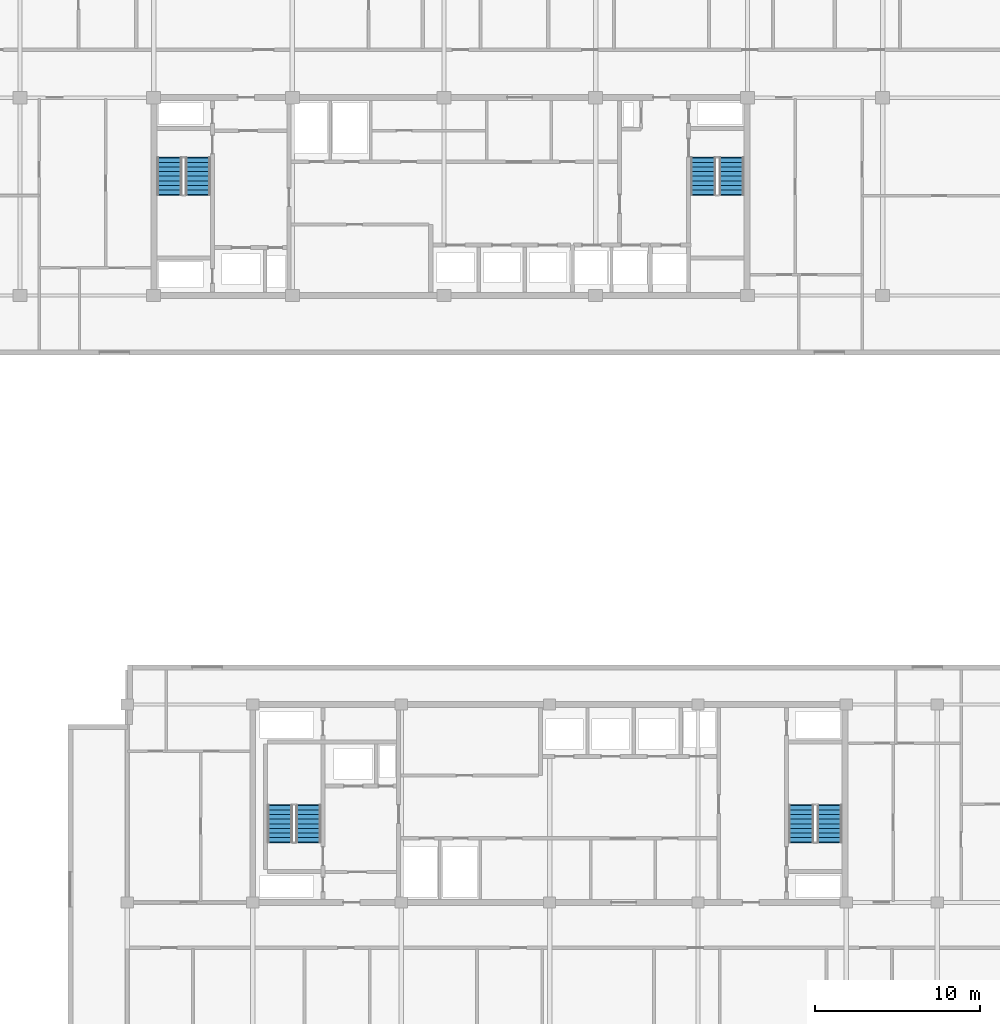
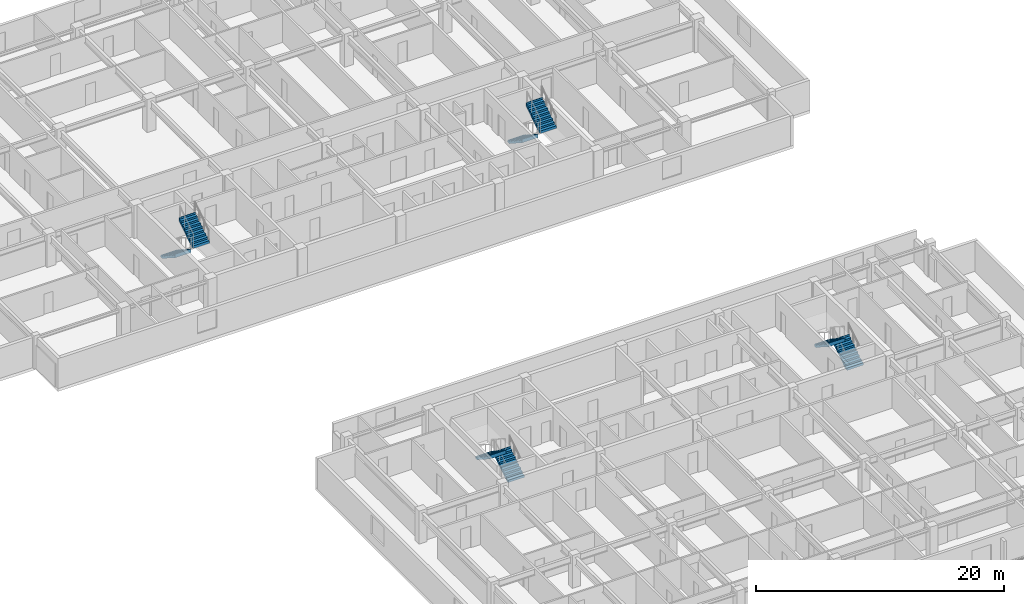
# One storey, part 16 of 21: 8 stair flights, 4 elements without a shape of their own.
"""IFC4 building model written with IfcOpenShell, lengths in metres."""

from ifc_helpers import new_model, si_unit, direction, frame, origin, place, context, subcontext, project, spatial, polyline, outline, extrude, material, type_object, element, aggregate, save


model = new_model("IFC4")

# Units and contexts
model_context = context("Model", 3, precision=1e-05, world=origin(), true_north=direction((0.0, 1.0)))
body_context = subcontext(model_context, "Body", "Model", "MODEL_VIEW")
ifc_project = project(units=[si_unit("LENGTHUNIT", "METRE"), si_unit("AREAUNIT", "SQUARE_METRE"), si_unit("VOLUMEUNIT", "CUBIC_METRE"), si_unit("PLANEANGLEUNIT", "RADIAN"), si_unit("MASSUNIT", "GRAM", prefix="KILO")], contexts=[model_context])

# Site, building, storey
site_placement = place(None, origin())
site = spatial("IfcSite", under=ifc_project, at=site_placement, CompositionType="ELEMENT")
building_placement = place(site_placement, origin())
building = spatial("IfcBuilding", under=site, at=building_placement, Name="Korimba Cascade Residences", CompositionType="ELEMENT")
storey_placement = place(building_placement, frame((0.0, 0.0, 175.10009765625)))
storey = spatial("IfcBuildingStorey", under=building, at=storey_placement, Name="L50", CompositionType="ELEMENT", Elevation=175.10009765625)

# Stair, stair flights
ifc_material = material(Name="Concrete C50/60", Category="concrete")
stair_type_1 = type_object("IfcStairType", Name="STR-W1-18R-1806", PredefinedType="HALF_TURN_STAIR", material=ifc_material)
stair_1_placement = place(storey_placement, origin())
stair_1 = element("IfcStair", 1, at=stair_1_placement, inside=storey, type_object=stair_type_1, Name="L50 Tower 1 West Fire Stair ST-W1", PredefinedType="HALF_TURN_STAIR")
stair_flight_type = type_object("IfcStairFlightType", Name="STF-DL-18R-1806-1520", PredefinedType="STRAIGHT", material=ifc_material)
stair_flight_1_placement = place(storey_placement, frame((77.06005859375, 63.550048828125, 0.0), z_axis=(0.0, 0.0, 1.0), x_axis=(0.0, -1.0, 0.0)))
stair_flight_1 = element("IfcStairFlight", 2, at=stair_flight_1_placement, type_object=stair_flight_type, Name="ST-W1 flight 1", NumberOfRisers=9, NumberOfTreads=8, PredefinedType="STRAIGHT", RiserHeight=0.180555556, TreadLength=0.28, context=body_context, shape_type="SweptSolid", body=[
    extrude(outline(polyline([(-0.0380859375, 0.0), (0.0, 0.1806640625), (0.280029296875, 0.1806640625), (0.280029296875, 0.361083984375), (0.56005859375, 0.361083984375), (0.56005859375, 0.541748046875), (0.840087890625, 0.541748046875), (0.840087890625, 0.72216796875), (1.1201171875, 0.72216796875), (1.1201171875, 0.90283203125), (1.39990234375, 0.90283203125), (1.39990234375, 1.083251953125), (1.679931640625, 1.083251953125), (1.679931640625, 1.263916015625), (1.9599609375, 1.263916015625), (1.9599609375, 1.4443359375), (2.239990234375, 1.4443359375), (2.239990234375, 1.625), (2.278076171875, 1.625), (2.278076171875, 1.26611328125), (0.276611328125, 0.0), (0.276611328125, -0.0380859375), (-0.0380859375, -0.0380859375), (-0.0380859375, 0.0)])), frame((0.0, 0.760009765625, 0.0), z_axis=(0.0, -1.0, 0.0), x_axis=(1.0, 0.0, 0.0)), (0.0, 0.0, 1.0), 1.52001953125),
])
stair_flight_2_placement = place(storey_placement, frame((78.780029296875, 61.31005859375, 1.625), z_axis=(0.0, 0.0, 1.0), x_axis=(0.0, 1.0, 0.0)))
stair_flight_2 = element("IfcStairFlight", 3, at=stair_flight_2_placement, type_object=stair_flight_type, Name="ST-W1 flight 2", NumberOfRisers=9, NumberOfTreads=8, PredefinedType="STRAIGHT", RiserHeight=0.180555556, TreadLength=0.28, context=body_context, shape_type="SweptSolid", body=[
    extrude(outline(polyline([(-0.0380859375, 0.0), (0.0, 0.1806640625), (0.280029296875, 0.1806640625), (0.280029296875, 0.361083984375), (0.56005859375, 0.361083984375), (0.56005859375, 0.541748046875), (0.840087890625, 0.541748046875), (0.840087890625, 0.72216796875), (1.1201171875, 0.72216796875), (1.1201171875, 0.90283203125), (1.39990234375, 0.90283203125), (1.39990234375, 1.083251953125), (1.679931640625, 1.083251953125), (1.679931640625, 1.263916015625), (1.9599609375, 1.263916015625), (1.9599609375, 1.4443359375), (2.239990234375, 1.4443359375), (2.239990234375, 1.625), (2.278076171875, 1.625), (2.278076171875, 1.26611328125), (0.276611328125, 0.0), (0.276611328125, -0.0380859375), (-0.0380859375, -0.0380859375), (-0.0380859375, 0.0)])), frame((0.0, 0.760009765625, 0.0), z_axis=(0.0, -1.0, 0.0), x_axis=(1.0, 0.0, 0.0)), (0.0, 0.0, 1.0), 1.52001953125),
])
aggregate(stair_1, [stair_flight_1, stair_flight_2])

stair_type_2 = type_object("IfcStairType", Name="STR-W2-18R-1806", PredefinedType="HALF_TURN_STAIR", material=ifc_material)
stair_2_placement = place(storey_placement, origin())
stair_2 = element("IfcStair", 4, at=stair_2_placement, inside=storey, type_object=stair_type_2, Name="L50 Tower 1 East Fire Stair ST-W2", PredefinedType="HALF_TURN_STAIR")
stair_flight_3_placement = place(storey_placement, frame((109.419921875, 63.550048828125, 0.0), z_axis=(0.0, 0.0, 1.0), x_axis=(0.0, -1.0, 0.0)))
stair_flight_3 = element("IfcStairFlight", 5, at=stair_flight_3_placement, type_object=stair_flight_type, Name="ST-W2 flight 1", NumberOfRisers=9, NumberOfTreads=8, PredefinedType="STRAIGHT", RiserHeight=0.180555556, TreadLength=0.28, context=body_context, shape_type="SweptSolid", body=[
    extrude(outline(polyline([(-0.0380859375, 0.0), (0.0, 0.1806640625), (0.280029296875, 0.1806640625), (0.280029296875, 0.361083984375), (0.56005859375, 0.361083984375), (0.56005859375, 0.541748046875), (0.840087890625, 0.541748046875), (0.840087890625, 0.72216796875), (1.1201171875, 0.72216796875), (1.1201171875, 0.90283203125), (1.39990234375, 0.90283203125), (1.39990234375, 1.083251953125), (1.679931640625, 1.083251953125), (1.679931640625, 1.263916015625), (1.9599609375, 1.263916015625), (1.9599609375, 1.4443359375), (2.239990234375, 1.4443359375), (2.239990234375, 1.625), (2.278076171875, 1.625), (2.278076171875, 1.26611328125), (0.276611328125, 0.0), (0.276611328125, -0.0380859375), (-0.0380859375, -0.0380859375), (-0.0380859375, 0.0)])), frame((0.0, 0.760009765625, 0.0), z_axis=(0.0, -1.0, 0.0), x_axis=(1.0, 0.0, 0.0)), (0.0, 0.0, 1.0), 1.52001953125),
])
stair_flight_4_placement = place(storey_placement, frame((111.139892578125, 61.31005859375, 1.625), z_axis=(0.0, 0.0, 1.0), x_axis=(0.0, 1.0, 0.0)))
stair_flight_4 = element("IfcStairFlight", 6, at=stair_flight_4_placement, type_object=stair_flight_type, Name="ST-W2 flight 2", NumberOfRisers=9, NumberOfTreads=8, PredefinedType="STRAIGHT", RiserHeight=0.180555556, TreadLength=0.28, context=body_context, shape_type="SweptSolid", body=[
    extrude(outline(polyline([(-0.0380859375, 0.0), (0.0, 0.1806640625), (0.280029296875, 0.1806640625), (0.280029296875, 0.361083984375), (0.56005859375, 0.361083984375), (0.56005859375, 0.541748046875), (0.840087890625, 0.541748046875), (0.840087890625, 0.72216796875), (1.1201171875, 0.72216796875), (1.1201171875, 0.90283203125), (1.39990234375, 0.90283203125), (1.39990234375, 1.083251953125), (1.679931640625, 1.083251953125), (1.679931640625, 1.263916015625), (1.9599609375, 1.263916015625), (1.9599609375, 1.4443359375), (2.239990234375, 1.4443359375), (2.239990234375, 1.625), (2.278076171875, 1.625), (2.278076171875, 1.26611328125), (0.276611328125, 0.0), (0.276611328125, -0.0380859375), (-0.0380859375, -0.0380859375), (-0.0380859375, 0.0)])), frame((0.0, 0.760009765625, 0.0), z_axis=(0.0, -1.0, 0.0), x_axis=(1.0, 0.0, 0.0)), (0.0, 0.0, 1.0), 1.52001953125),
])
aggregate(stair_2, [stair_flight_3, stair_flight_4])

stair_type_3 = type_object("IfcStairType", Name="STR-E1-18R-1806", PredefinedType="HALF_TURN_STAIR", material=ifc_material)
stair_3_placement = place(storey_placement, origin())
stair_3 = element("IfcStair", 7, at=stair_3_placement, inside=storey, type_object=stair_type_3, Name="L50 Tower 2 West Fire Stair ST-E1", PredefinedType="HALF_TURN_STAIR")
stair_flight_5_placement = place(storey_placement, frame((85.47998046875, 22.050048828125, 0.0), z_axis=(0.0, 0.0, 1.0), x_axis=(0.0, 1.0, 0.0)))
stair_flight_5 = element("IfcStairFlight", 8, at=stair_flight_5_placement, type_object=stair_flight_type, Name="ST-E1 flight 1", NumberOfRisers=9, NumberOfTreads=8, PredefinedType="STRAIGHT", RiserHeight=0.180555556, TreadLength=0.28, context=body_context, shape_type="SweptSolid", body=[
    extrude(outline(polyline([(-0.0380859375, 0.0), (0.0, 0.1806640625), (0.280029296875, 0.1806640625), (0.280029296875, 0.361083984375), (0.56005859375, 0.361083984375), (0.56005859375, 0.541748046875), (0.840087890625, 0.541748046875), (0.840087890625, 0.72216796875), (1.1201171875, 0.72216796875), (1.1201171875, 0.90283203125), (1.39990234375, 0.90283203125), (1.39990234375, 1.083251953125), (1.679931640625, 1.083251953125), (1.679931640625, 1.263916015625), (1.9599609375, 1.263916015625), (1.9599609375, 1.4443359375), (2.239990234375, 1.4443359375), (2.239990234375, 1.625), (2.278076171875, 1.625), (2.278076171875, 1.26611328125), (0.276611328125, 0.0), (0.276611328125, -0.0380859375), (-0.0380859375, -0.0380859375), (-0.0380859375, 0.0)])), frame((0.0, 0.760009765625, 0.0), z_axis=(0.0, -1.0, 0.0), x_axis=(1.0, 0.0, 0.0)), (0.0, 0.0, 1.0), 1.52001953125),
])
stair_flight_6_placement = place(storey_placement, frame((83.760009765625, 24.2900390625, 1.625), z_axis=(0.0, 0.0, 1.0), x_axis=(0.0, -1.0, 0.0)))
stair_flight_6 = element("IfcStairFlight", 9, at=stair_flight_6_placement, type_object=stair_flight_type, Name="ST-E1 flight 2", NumberOfRisers=9, NumberOfTreads=8, PredefinedType="STRAIGHT", RiserHeight=0.180555556, TreadLength=0.28, context=body_context, shape_type="SweptSolid", body=[
    extrude(outline(polyline([(-0.0380859375, 0.0), (0.0, 0.1806640625), (0.280029296875, 0.1806640625), (0.280029296875, 0.361083984375), (0.56005859375, 0.361083984375), (0.56005859375, 0.541748046875), (0.840087890625, 0.541748046875), (0.840087890625, 0.72216796875), (1.1201171875, 0.72216796875), (1.1201171875, 0.90283203125), (1.39990234375, 0.90283203125), (1.39990234375, 1.083251953125), (1.679931640625, 1.083251953125), (1.679931640625, 1.263916015625), (1.9599609375, 1.263916015625), (1.9599609375, 1.4443359375), (2.239990234375, 1.4443359375), (2.239990234375, 1.625), (2.278076171875, 1.625), (2.278076171875, 1.26611328125), (0.276611328125, 0.0), (0.276611328125, -0.0380859375), (-0.0380859375, -0.0380859375), (-0.0380859375, 0.0)])), frame((0.0, 0.760009765625, 0.0), z_axis=(0.0, -1.0, 0.0), x_axis=(1.0, 0.0, 0.0)), (0.0, 0.0, 1.0), 1.52001953125),
])
aggregate(stair_3, [stair_flight_5, stair_flight_6])

stair_type_4 = type_object("IfcStairType", Name="STR-E2-18R-1806", PredefinedType="HALF_TURN_STAIR", material=ifc_material)
stair_4_placement = place(storey_placement, origin())
stair_4 = element("IfcStair", 10, at=stair_4_placement, inside=storey, type_object=stair_type_4, Name="L50 Tower 2 East Fire Stair ST-E2", PredefinedType="HALF_TURN_STAIR")
stair_flight_7_placement = place(storey_placement, frame((117.080078125, 22.050048828125, 0.0), z_axis=(0.0, 0.0, 1.0), x_axis=(0.0, 1.0, 0.0)))
stair_flight_7 = element("IfcStairFlight", 11, at=stair_flight_7_placement, type_object=stair_flight_type, Name="ST-E2 flight 1", NumberOfRisers=9, NumberOfTreads=8, PredefinedType="STRAIGHT", RiserHeight=0.180555556, TreadLength=0.28, context=body_context, shape_type="SweptSolid", body=[
    extrude(outline(polyline([(-0.0380859375, 0.0), (0.0, 0.1806640625), (0.280029296875, 0.1806640625), (0.280029296875, 0.361083984375), (0.56005859375, 0.361083984375), (0.56005859375, 0.541748046875), (0.840087890625, 0.541748046875), (0.840087890625, 0.72216796875), (1.1201171875, 0.72216796875), (1.1201171875, 0.90283203125), (1.39990234375, 0.90283203125), (1.39990234375, 1.083251953125), (1.679931640625, 1.083251953125), (1.679931640625, 1.263916015625), (1.9599609375, 1.263916015625), (1.9599609375, 1.4443359375), (2.239990234375, 1.4443359375), (2.239990234375, 1.625), (2.278076171875, 1.625), (2.278076171875, 1.26611328125), (0.276611328125, 0.0), (0.276611328125, -0.0380859375), (-0.0380859375, -0.0380859375), (-0.0380859375, 0.0)])), frame((0.0, 0.760009765625, 0.0), z_axis=(0.0, -1.0, 0.0), x_axis=(1.0, 0.0, 0.0)), (0.0, 0.0, 1.0), 1.52001953125),
])
stair_flight_8_placement = place(storey_placement, frame((115.360107421875, 24.2900390625, 1.625), z_axis=(0.0, 0.0, 1.0), x_axis=(0.0, -1.0, 0.0)))
stair_flight_8 = element("IfcStairFlight", 12, at=stair_flight_8_placement, type_object=stair_flight_type, Name="ST-E2 flight 2", NumberOfRisers=9, NumberOfTreads=8, PredefinedType="STRAIGHT", RiserHeight=0.180555556, TreadLength=0.28, context=body_context, shape_type="SweptSolid", body=[
    extrude(outline(polyline([(-0.0380859375, 0.0), (0.0, 0.1806640625), (0.280029296875, 0.1806640625), (0.280029296875, 0.361083984375), (0.56005859375, 0.361083984375), (0.56005859375, 0.541748046875), (0.840087890625, 0.541748046875), (0.840087890625, 0.72216796875), (1.1201171875, 0.72216796875), (1.1201171875, 0.90283203125), (1.39990234375, 0.90283203125), (1.39990234375, 1.083251953125), (1.679931640625, 1.083251953125), (1.679931640625, 1.263916015625), (1.9599609375, 1.263916015625), (1.9599609375, 1.4443359375), (2.239990234375, 1.4443359375), (2.239990234375, 1.625), (2.278076171875, 1.625), (2.278076171875, 1.26611328125), (0.276611328125, 0.0), (0.276611328125, -0.0380859375), (-0.0380859375, -0.0380859375), (-0.0380859375, 0.0)])), frame((0.0, 0.760009765625, 0.0), z_axis=(0.0, -1.0, 0.0), x_axis=(1.0, 0.0, 0.0)), (0.0, 0.0, 1.0), 1.52001953125),
])
aggregate(stair_4, [stair_flight_7, stair_flight_8])

save(model, "model.ifc")
